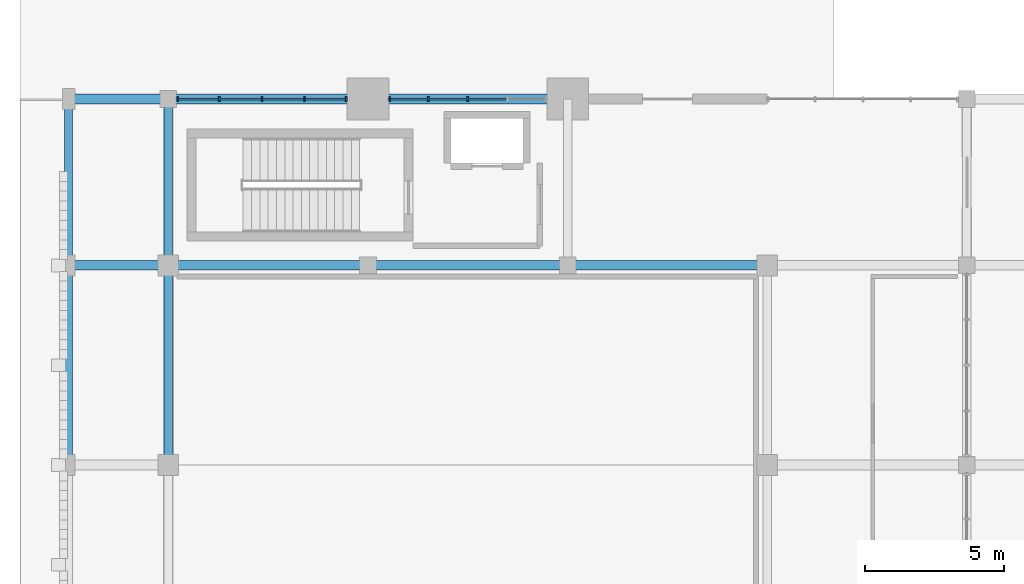
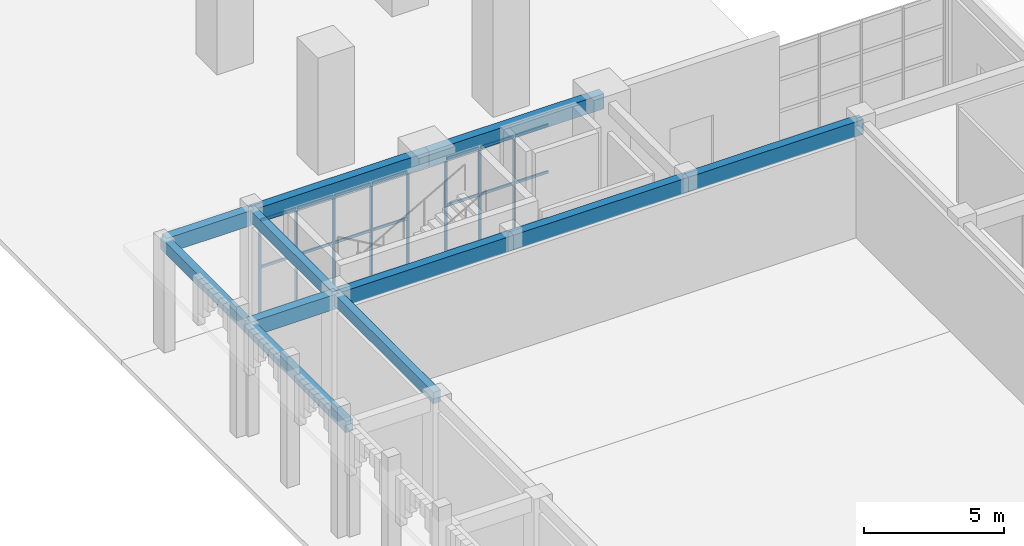
# One storey, part 5 of 72: 29 members, 11 beams, 2 elements without a shape of their own.
"""IFC4 building model written with IfcOpenShell, lengths in metres."""

from ifc_helpers import new_model, si_unit, direction, frame, origin, origin_2d, place, context, subcontext, project, spatial, rectangle, extrude, material, material_profile, profile_set, type_object, element, aggregate, save


model = new_model("IFC4")

# Units and contexts
model_context = context("Model", 3, precision=1e-05, world=origin(), true_north=direction((0.0, 1.0)))
body_context = subcontext(model_context, "Body", "Model", "MODEL_VIEW")
ifc_project = project(units=[si_unit("LENGTHUNIT", "METRE"), si_unit("AREAUNIT", "SQUARE_METRE"), si_unit("VOLUMEUNIT", "CUBIC_METRE"), si_unit("PLANEANGLEUNIT", "RADIAN"), si_unit("MASSUNIT", "GRAM", prefix="KILO")], contexts=[model_context])

# Site, building, storey
site_placement = place(None, origin())
site = spatial("IfcSite", under=ifc_project, at=site_placement, CompositionType="ELEMENT")
building_placement = place(site_placement, origin())
building = spatial("IfcBuilding", under=site, at=building_placement, Name="Nzembalo Square Collegiate School", CompositionType="ELEMENT")
storey_placement = place(building_placement, origin())
storey = spatial("IfcBuildingStorey", under=building, at=storey_placement, Name="L00", CompositionType="ELEMENT", Elevation=0.0)

# Beams
ifc_material_1 = material(Name="Concrete C35/45", Category="concrete")
ifc_material_profile_1 = material_profile(ifc_material_1, rectangle(XDim=0.35009765625, YDim=0.64990234375, at=origin_2d()), Name="RC 350x650")
ifc_profile_set_1 = profile_set([ifc_material_profile_1], Name="Concrete C35/45")
beam_type_1 = type_object("IfcBeamType", Name="B01", PredefinedType="BEAM", material=ifc_profile_set_1)
beam_1_placement = place(storey_placement, frame((4.800048828125, 44.39990234375, 4.465087890625), z_axis=(1.0, 0.0, 0.0), x_axis=(0.0, 1.0, 0.0)))
element("IfcBeam", 1, at=beam_1_placement, inside=storey, type_object=beam_type_1, Name="Beam B01 L00", PredefinedType="BEAM", context=body_context, shape_type="SweptSolid", body=[
    extrude(rectangle(XDim=0.35009765625, YDim=0.64990234375, at=origin_2d()), origin(), (0.0, 0.0, 1.0), 3.599853515625),
])
beam_2_placement = place(storey_placement, frame((8.39990234375, 44.39990234375, 4.465087890625), z_axis=(1.0, 0.0, 0.0), x_axis=(0.0, 1.0, 0.0)))
element("IfcBeam", 2, at=beam_2_placement, inside=storey, type_object=beam_type_1, Name="Beam B01 L00", PredefinedType="BEAM", context=body_context, shape_type="SweptSolid", body=[
    extrude(rectangle(XDim=0.35009765625, YDim=0.64990234375, at=origin_2d()), origin(), (0.0, 0.0, 1.0), 7.2001953125),
])
for number, where, z_axis, x_axis, name in (
    (3, (15.60009765625, 44.39990234375, 4.465087890625), (1.0, 0.0, 0.0), (0.0, 1.0, 0.0), "Beam B01 L00"),
    (4, (22.800048828125, 44.39990234375, 4.465087890625), (1.0, 0.0, 0.0), (0.0, 1.0, 0.0), "Beam B01 L00"),
):
    element("IfcBeam", number, at=place(storey_placement, frame(where, z_axis=z_axis, x_axis=x_axis)), inside=storey, type_object=beam_type_1, Name=name, PredefinedType="BEAM", context=body_context, shape_type="SweptSolid", body=[
        extrude(rectangle(XDim=0.35009765625, YDim=0.64990234375, at=origin_2d()), origin(), (0.0, 0.0, 1.0), 7.199951171875),
    ])
beam_3_placement = place(storey_placement, frame((4.800048828125, 50.39990234375, 4.465087890625), z_axis=(1.0, 0.0, 0.0), x_axis=(0.0, 1.0, 0.0)))
element("IfcBeam", 5, at=beam_3_placement, inside=storey, type_object=beam_type_1, Name="Beam B01 L00", PredefinedType="BEAM", context=body_context, shape_type="SweptSolid", body=[
    extrude(rectangle(XDim=0.35009765625, YDim=0.64990234375, at=origin_2d()), origin(), (0.0, 0.0, 1.0), 3.599853515625),
])
beam_4_placement = place(storey_placement, frame((8.39990234375, 50.39990234375, 4.465087890625), z_axis=(1.0, 0.0, 0.0), x_axis=(0.0, 1.0, 0.0)))
element("IfcBeam", 6, at=beam_4_placement, inside=storey, type_object=beam_type_1, Name="Beam B01 L00", PredefinedType="BEAM", context=body_context, shape_type="SweptSolid", body=[
    extrude(rectangle(XDim=0.35009765625, YDim=0.64990234375, at=origin_2d()), origin(), (0.0, 0.0, 1.0), 7.2001953125),
])
beam_5_placement = place(storey_placement, frame((15.60009765625, 50.39990234375, 4.465087890625), z_axis=(1.0, 0.0, 0.0), x_axis=(0.0, 1.0, 0.0)))
element("IfcBeam", 7, at=beam_5_placement, inside=storey, type_object=beam_type_1, Name="Beam B01 L00", PredefinedType="BEAM", context=body_context, shape_type="SweptSolid", body=[
    extrude(rectangle(XDim=0.35009765625, YDim=0.64990234375, at=origin_2d()), origin(), (0.0, 0.0, 1.0), 7.199951171875),
])
ifc_material_2 = material(Name="Concrete C35/45", Category="concrete")
ifc_material_profile_2 = material_profile(ifc_material_2, rectangle(XDim=0.300048828125, YDim=0.5, at=origin_2d()), Name="RC 300x500")
ifc_profile_set_2 = profile_set([ifc_material_profile_2], Name="Concrete C35/45")
beam_type_2 = type_object("IfcBeamType", Name="SP01", PredefinedType="SPANDREL", material=ifc_profile_set_2)
beam_6_placement = place(storey_placement, frame((4.800048828125, 37.199951171875, 4.5400390625), z_axis=(0.0, 1.0, 0.0), x_axis=(-1.0, 0.0, 0.0)))
element("IfcBeam", 8, at=beam_6_placement, inside=storey, type_object=beam_type_2, Name="Beam SP01 L00", PredefinedType="SPANDREL", context=body_context, shape_type="SweptSolid", body=[
    extrude(rectangle(XDim=0.300048828125, YDim=0.5, at=origin_2d()), origin(), (0.0, 0.0, 1.0), 7.199951171875),
])
beam_7_placement = place(storey_placement, frame((4.800048828125, 44.39990234375, 4.5400390625), z_axis=(0.0, 1.0, 0.0), x_axis=(-1.0, 0.0, 0.0)))
element("IfcBeam", 9, at=beam_7_placement, inside=storey, type_object=beam_type_2, Name="Beam SP01 L00", PredefinedType="SPANDREL", context=body_context, shape_type="SweptSolid", body=[
    extrude(rectangle(XDim=0.300048828125, YDim=0.5, at=origin_2d()), origin(), (0.0, 0.0, 1.0), 6.0),
])
beam_8_placement = place(storey_placement, frame((8.39990234375, 37.199951171875, 4.5400390625), z_axis=(0.0, 1.0, 0.0), x_axis=(-1.0, 0.0, 0.0)))
element("IfcBeam", 10, at=beam_8_placement, inside=storey, type_object=beam_type_2, Name="Beam SP01 L00", PredefinedType="SPANDREL", context=body_context, shape_type="SweptSolid", body=[
    extrude(rectangle(XDim=0.300048828125, YDim=0.5, at=origin_2d()), origin(), (0.0, 0.0, 1.0), 7.199951171875),
])
beam_9_placement = place(storey_placement, frame((8.39990234375, 44.39990234375, 4.5400390625), z_axis=(0.0, 1.0, 0.0), x_axis=(-1.0, 0.0, 0.0)))
element("IfcBeam", 11, at=beam_9_placement, inside=storey, type_object=beam_type_2, Name="Beam SP01 L00", PredefinedType="SPANDREL", context=body_context, shape_type="SweptSolid", body=[
    extrude(rectangle(XDim=0.300048828125, YDim=0.5, at=origin_2d()), origin(), (0.0, 0.0, 1.0), 6.0),
])

# Curtain wall, members
ifc_material_3 = material(Name="Aluminium 6060-T66", Category="aluminium")
curtain_wall_type_1 = type_object("IfcCurtainWallType", Name="CW-07", PredefinedType="USERDEFINED", material=ifc_material_3)
curtain_wall_1_placement = place(storey_placement, origin())
curtain_wall_1 = element("IfcCurtainWall", 12, at=curtain_wall_1_placement, inside=storey, type_object=curtain_wall_type_1, Name="Curtain wall CW-07 cw:L00:006", ObjectType="LANCET", PredefinedType="USERDEFINED")
ifc_material_4 = material(Name="Aluminium 6060-T66", Category="aluminium")
ifc_material_profile_3 = material_profile(ifc_material_4, rectangle(XDim=0.06005859375, YDim=0.14990234375, at=origin_2d()), Name="ALU M60x150")
ifc_profile_set_3 = profile_set([ifc_material_profile_3], Name="Aluminium 6060-T66")
member_type_1 = type_object("IfcMemberType", Name="ML02", PredefinedType="MULLION", material=ifc_profile_set_3)
member_1_placement = place(storey_placement, frame((8.73193359375, 50.39990234375, 0.0), z_axis=(0.0, 0.0, 1.0), x_axis=(1.0, 0.0, 0.0)))
member_1 = element("IfcMember", 13, at=member_1_placement, type_object=member_type_1, Name="ML02 mullion 1", PredefinedType="MULLION", context=body_context, shape_type="SweptSolid", body=[
    extrude(rectangle(XDim=0.06005859375, YDim=0.14990234375, at=origin_2d()), origin(), (0.0, 0.0, 1.0), 4.134033203125),
])
member_2_placement = place(storey_placement, frame((10.238525390625, 50.39990234375, 0.0), z_axis=(0.0, 0.0, 1.0), x_axis=(1.0, 0.0, 0.0)))
member_2 = element("IfcMember", 14, at=member_2_placement, type_object=member_type_1, Name="ML02 mullion 2", PredefinedType="MULLION", context=body_context, shape_type="SweptSolid", body=[
    extrude(rectangle(XDim=0.06005859375, YDim=0.14990234375, at=origin_2d()), origin(), (0.0, 0.0, 1.0), 4.134033203125),
])
member_3_placement = place(storey_placement, frame((11.77490234375, 50.39990234375, 0.0), z_axis=(0.0, 0.0, 1.0), x_axis=(1.0, 0.0, 0.0)))
member_3 = element("IfcMember", 15, at=member_3_placement, type_object=member_type_1, Name="ML02 mullion 3", PredefinedType="MULLION", context=body_context, shape_type="SweptSolid", body=[
    extrude(rectangle(XDim=0.06005859375, YDim=0.14990234375, at=origin_2d()), origin(), (0.0, 0.0, 1.0), 4.134033203125),
])
member_4_placement = place(storey_placement, frame((13.3115234375, 50.39990234375, 0.0), z_axis=(0.0, 0.0, 1.0), x_axis=(1.0, 0.0, 0.0)))
member_4 = element("IfcMember", 16, at=member_4_placement, type_object=member_type_1, Name="ML02 mullion 4", PredefinedType="MULLION", context=body_context, shape_type="SweptSolid", body=[
    extrude(rectangle(XDim=0.06005859375, YDim=0.14990234375, at=origin_2d()), origin(), (0.0, 0.0, 1.0), 4.134033203125),
])
member_5_placement = place(storey_placement, frame((14.818115234375, 50.39990234375, 0.0), z_axis=(0.0, 0.0, 1.0), x_axis=(1.0, 0.0, 0.0)))
member_5 = element("IfcMember", 17, at=member_5_placement, type_object=member_type_1, Name="ML02 mullion 5", PredefinedType="MULLION", context=body_context, shape_type="SweptSolid", body=[
    extrude(rectangle(XDim=0.06005859375, YDim=0.14990234375, at=origin_2d()), origin(), (0.0, 0.0, 1.0), 4.134033203125),
])

ifc_material_5 = material(Name="Aluminium 6060-T66", Category="aluminium")
curtain_wall_type_2 = type_object("IfcCurtainWallType", Name="CW-08", PredefinedType="USERDEFINED", material=ifc_material_5)
curtain_wall_2_placement = place(storey_placement, origin())
curtain_wall_2 = element("IfcCurtainWall", 18, at=curtain_wall_2_placement, inside=storey, type_object=curtain_wall_type_2, Name="Curtain wall CW-08 cw:L00:007", ObjectType="LANCET", PredefinedType="USERDEFINED")
member_6_placement = place(storey_placement, frame((16.382080078125, 50.39990234375, 0.0), z_axis=(0.0, 0.0, 1.0), x_axis=(1.0, 0.0, 0.0)))
member_6 = element("IfcMember", 19, at=member_6_placement, type_object=member_type_1, Name="ML02 mullion 1", PredefinedType="MULLION", context=body_context, shape_type="SweptSolid", body=[
    extrude(rectangle(XDim=0.06005859375, YDim=0.14990234375, at=origin_2d()), origin(), (0.0, 0.0, 1.0), 4.134033203125),
])
member_7_placement = place(storey_placement, frame((17.77587890625, 50.39990234375, 0.0), z_axis=(0.0, 0.0, 1.0), x_axis=(1.0, 0.0, 0.0)))
member_7 = element("IfcMember", 20, at=member_7_placement, type_object=member_type_1, Name="ML02 mullion 2", PredefinedType="MULLION", context=body_context, shape_type="SweptSolid", body=[
    extrude(rectangle(XDim=0.06005859375, YDim=0.14990234375, at=origin_2d()), origin(), (0.0, 0.0, 1.0), 4.134033203125),
])
member_8_placement = place(storey_placement, frame((19.199951171875, 50.39990234375, 0.0), z_axis=(0.0, 0.0, 1.0), x_axis=(1.0, 0.0, 0.0)))
member_8 = element("IfcMember", 21, at=member_8_placement, type_object=member_type_1, Name="ML02 mullion 3", PredefinedType="MULLION", context=body_context, shape_type="SweptSolid", body=[
    extrude(rectangle(XDim=0.06005859375, YDim=0.14990234375, at=origin_2d()), origin(), (0.0, 0.0, 1.0), 4.134033203125),
])

# Member
ifc_material_6 = material(Name="Aluminium 6060-T66", Category="aluminium")
ifc_material_profile_4 = material_profile(ifc_material_6, rectangle(XDim=0.06005859375, YDim=0.110107421875, at=origin_2d()), Name="ALU T60x110")
ifc_profile_set_4 = profile_set([ifc_material_profile_4], Name="Aluminium 6060-T66")
member_type_2 = type_object("IfcMemberType", Name="TR02", PredefinedType="USERDEFINED", material=ifc_profile_set_4)
member_9_placement = place(storey_placement, frame((8.761962890625, 50.39990234375, 0.030029296875), z_axis=(1.0, 0.0, 0.0), x_axis=(0.0, 1.0, 0.0)))
member_9 = element("IfcMember", 22, at=member_9_placement, type_object=member_type_2, Name="TR02 transom 1-1", ObjectType="TRANSOM", PredefinedType="USERDEFINED", context=body_context, shape_type="SweptSolid", body=[
    extrude(rectangle(XDim=0.06005859375, YDim=0.110107421875, at=origin_2d()), origin(), (0.0, 0.0, 1.0), 1.446533203125),
])

member_10_placement = place(storey_placement, frame((10.2685546875, 50.39990234375, 0.030029296875), z_axis=(1.0, 0.0, 0.0), x_axis=(0.0, 1.0, 0.0)))
member_10 = element("IfcMember", 23, at=member_10_placement, type_object=member_type_2, Name="TR02 transom 1-2", ObjectType="TRANSOM", PredefinedType="USERDEFINED", context=body_context, shape_type="SweptSolid", body=[
    extrude(rectangle(XDim=0.06005859375, YDim=0.110107421875, at=origin_2d()), origin(), (0.0, 0.0, 1.0), 1.4765625),
])

member_11_placement = place(storey_placement, frame((11.804931640625, 50.39990234375, 0.030029296875), z_axis=(1.0, 0.0, 0.0), x_axis=(0.0, 1.0, 0.0)))
member_11 = element("IfcMember", 24, at=member_11_placement, type_object=member_type_2, Name="TR02 transom 1-3", ObjectType="TRANSOM", PredefinedType="USERDEFINED", context=body_context, shape_type="SweptSolid", body=[
    extrude(rectangle(XDim=0.06005859375, YDim=0.110107421875, at=origin_2d()), origin(), (0.0, 0.0, 1.0), 1.4765625),
])

member_12_placement = place(storey_placement, frame((13.341552734375, 50.39990234375, 0.030029296875), z_axis=(1.0, 0.0, 0.0), x_axis=(0.0, 1.0, 0.0)))
member_12 = element("IfcMember", 25, at=member_12_placement, type_object=member_type_2, Name="TR02 transom 1-4", ObjectType="TRANSOM", PredefinedType="USERDEFINED", context=body_context, shape_type="SweptSolid", body=[
    extrude(rectangle(XDim=0.06005859375, YDim=0.110107421875, at=origin_2d()), origin(), (0.0, 0.0, 1.0), 1.446533203125),
])

member_13_placement = place(storey_placement, frame((8.761962890625, 50.39990234375, 2.06689453125), z_axis=(1.0, 0.0, 0.0), x_axis=(0.0, 1.0, 0.0)))
member_13 = element("IfcMember", 26, at=member_13_placement, type_object=member_type_2, Name="TR02 transom 2-1", ObjectType="TRANSOM", PredefinedType="USERDEFINED", context=body_context, shape_type="SweptSolid", body=[
    extrude(rectangle(XDim=0.06005859375, YDim=0.110107421875, at=origin_2d()), origin(), (0.0, 0.0, 1.0), 1.446533203125),
])

member_14_placement = place(storey_placement, frame((10.2685546875, 50.39990234375, 2.06689453125), z_axis=(1.0, 0.0, 0.0), x_axis=(0.0, 1.0, 0.0)))
member_14 = element("IfcMember", 27, at=member_14_placement, type_object=member_type_2, Name="TR02 transom 2-2", ObjectType="TRANSOM", PredefinedType="USERDEFINED", context=body_context, shape_type="SweptSolid", body=[
    extrude(rectangle(XDim=0.06005859375, YDim=0.110107421875, at=origin_2d()), origin(), (0.0, 0.0, 1.0), 1.4765625),
])

member_15_placement = place(storey_placement, frame((11.804931640625, 50.39990234375, 2.06689453125), z_axis=(1.0, 0.0, 0.0), x_axis=(0.0, 1.0, 0.0)))
member_15 = element("IfcMember", 28, at=member_15_placement, type_object=member_type_2, Name="TR02 transom 2-3", ObjectType="TRANSOM", PredefinedType="USERDEFINED", context=body_context, shape_type="SweptSolid", body=[
    extrude(rectangle(XDim=0.06005859375, YDim=0.110107421875, at=origin_2d()), origin(), (0.0, 0.0, 1.0), 1.4765625),
])

member_16_placement = place(storey_placement, frame((13.341552734375, 50.39990234375, 2.06689453125), z_axis=(1.0, 0.0, 0.0), x_axis=(0.0, 1.0, 0.0)))
member_16 = element("IfcMember", 29, at=member_16_placement, type_object=member_type_2, Name="TR02 transom 2-4", ObjectType="TRANSOM", PredefinedType="USERDEFINED", context=body_context, shape_type="SweptSolid", body=[
    extrude(rectangle(XDim=0.06005859375, YDim=0.110107421875, at=origin_2d()), origin(), (0.0, 0.0, 1.0), 1.446533203125),
])

member_17_placement = place(storey_placement, frame((8.761962890625, 50.39990234375, 4.10400390625), z_axis=(1.0, 0.0, 0.0), x_axis=(0.0, 1.0, 0.0)))
member_17 = element("IfcMember", 30, at=member_17_placement, type_object=member_type_2, Name="TR02 transom 3-1", ObjectType="TRANSOM", PredefinedType="USERDEFINED", context=body_context, shape_type="SweptSolid", body=[
    extrude(rectangle(XDim=0.06005859375, YDim=0.110107421875, at=origin_2d()), origin(), (0.0, 0.0, 1.0), 1.446533203125),
])

member_18_placement = place(storey_placement, frame((10.2685546875, 50.39990234375, 4.10400390625), z_axis=(1.0, 0.0, 0.0), x_axis=(0.0, 1.0, 0.0)))
member_18 = element("IfcMember", 31, at=member_18_placement, type_object=member_type_2, Name="TR02 transom 3-2", ObjectType="TRANSOM", PredefinedType="USERDEFINED", context=body_context, shape_type="SweptSolid", body=[
    extrude(rectangle(XDim=0.06005859375, YDim=0.110107421875, at=origin_2d()), origin(), (0.0, 0.0, 1.0), 1.4765625),
])

member_19_placement = place(storey_placement, frame((11.804931640625, 50.39990234375, 4.10400390625), z_axis=(1.0, 0.0, 0.0), x_axis=(0.0, 1.0, 0.0)))
member_19 = element("IfcMember", 32, at=member_19_placement, type_object=member_type_2, Name="TR02 transom 3-3", ObjectType="TRANSOM", PredefinedType="USERDEFINED", context=body_context, shape_type="SweptSolid", body=[
    extrude(rectangle(XDim=0.06005859375, YDim=0.110107421875, at=origin_2d()), origin(), (0.0, 0.0, 1.0), 1.4765625),
])

member_20_placement = place(storey_placement, frame((13.341552734375, 50.39990234375, 4.10400390625), z_axis=(1.0, 0.0, 0.0), x_axis=(0.0, 1.0, 0.0)))
member_20 = element("IfcMember", 33, at=member_20_placement, type_object=member_type_2, Name="TR02 transom 3-4", ObjectType="TRANSOM", PredefinedType="USERDEFINED", context=body_context, shape_type="SweptSolid", body=[
    extrude(rectangle(XDim=0.06005859375, YDim=0.110107421875, at=origin_2d()), origin(), (0.0, 0.0, 1.0), 1.446533203125),
])

aggregate(curtain_wall_1, [member_1, member_2, member_3, member_4, member_5, member_9, member_10, member_11, member_12, member_13, member_14, member_15, member_16, member_17, member_18, member_19, member_20])

member_21_placement = place(storey_placement, frame((16.412109375, 50.39990234375, 0.030029296875), z_axis=(1.0, 0.0, 0.0), x_axis=(0.0, 1.0, 0.0)))
member_21 = element("IfcMember", 34, at=member_21_placement, type_object=member_type_2, Name="TR02 transom 1-1", ObjectType="TRANSOM", PredefinedType="USERDEFINED", context=body_context, shape_type="SweptSolid", body=[
    extrude(rectangle(XDim=0.06005859375, YDim=0.110107421875, at=origin_2d()), origin(), (0.0, 0.0, 1.0), 1.333984375),
])

member_22_placement = place(storey_placement, frame((17.805908203125, 50.39990234375, 0.030029296875), z_axis=(1.0, 0.0, 0.0), x_axis=(0.0, 1.0, 0.0)))
member_22 = element("IfcMember", 35, at=member_22_placement, type_object=member_type_2, Name="TR02 transom 1-2", ObjectType="TRANSOM", PredefinedType="USERDEFINED", context=body_context, shape_type="SweptSolid", body=[
    extrude(rectangle(XDim=0.06005859375, YDim=0.110107421875, at=origin_2d()), origin(), (0.0, 0.0, 1.0), 1.364013671875),
])

member_23_placement = place(storey_placement, frame((19.22998046875, 50.39990234375, 0.030029296875), z_axis=(1.0, 0.0, 0.0), x_axis=(0.0, 1.0, 0.0)))
member_23 = element("IfcMember", 36, at=member_23_placement, type_object=member_type_2, Name="TR02 transom 1-3", ObjectType="TRANSOM", PredefinedType="USERDEFINED", context=body_context, shape_type="SweptSolid", body=[
    extrude(rectangle(XDim=0.06005859375, YDim=0.110107421875, at=origin_2d()), origin(), (0.0, 0.0, 1.0), 1.364013671875),
])

member_24_placement = place(storey_placement, frame((16.412109375, 50.39990234375, 2.06689453125), z_axis=(1.0, 0.0, 0.0), x_axis=(0.0, 1.0, 0.0)))
member_24 = element("IfcMember", 37, at=member_24_placement, type_object=member_type_2, Name="TR02 transom 2-1", ObjectType="TRANSOM", PredefinedType="USERDEFINED", context=body_context, shape_type="SweptSolid", body=[
    extrude(rectangle(XDim=0.06005859375, YDim=0.110107421875, at=origin_2d()), origin(), (0.0, 0.0, 1.0), 1.333984375),
])

member_25_placement = place(storey_placement, frame((17.805908203125, 50.39990234375, 2.06689453125), z_axis=(1.0, 0.0, 0.0), x_axis=(0.0, 1.0, 0.0)))
member_25 = element("IfcMember", 38, at=member_25_placement, type_object=member_type_2, Name="TR02 transom 2-2", ObjectType="TRANSOM", PredefinedType="USERDEFINED", context=body_context, shape_type="SweptSolid", body=[
    extrude(rectangle(XDim=0.06005859375, YDim=0.110107421875, at=origin_2d()), origin(), (0.0, 0.0, 1.0), 1.364013671875),
])

member_26_placement = place(storey_placement, frame((19.22998046875, 50.39990234375, 2.06689453125), z_axis=(1.0, 0.0, 0.0), x_axis=(0.0, 1.0, 0.0)))
member_26 = element("IfcMember", 39, at=member_26_placement, type_object=member_type_2, Name="TR02 transom 2-3", ObjectType="TRANSOM", PredefinedType="USERDEFINED", context=body_context, shape_type="SweptSolid", body=[
    extrude(rectangle(XDim=0.06005859375, YDim=0.110107421875, at=origin_2d()), origin(), (0.0, 0.0, 1.0), 1.364013671875),
])

member_27_placement = place(storey_placement, frame((16.412109375, 50.39990234375, 4.10400390625), z_axis=(1.0, 0.0, 0.0), x_axis=(0.0, 1.0, 0.0)))
member_27 = element("IfcMember", 40, at=member_27_placement, type_object=member_type_2, Name="TR02 transom 3-1", ObjectType="TRANSOM", PredefinedType="USERDEFINED", context=body_context, shape_type="SweptSolid", body=[
    extrude(rectangle(XDim=0.06005859375, YDim=0.110107421875, at=origin_2d()), origin(), (0.0, 0.0, 1.0), 1.333984375),
])

member_28_placement = place(storey_placement, frame((17.805908203125, 50.39990234375, 4.10400390625), z_axis=(1.0, 0.0, 0.0), x_axis=(0.0, 1.0, 0.0)))
member_28 = element("IfcMember", 41, at=member_28_placement, type_object=member_type_2, Name="TR02 transom 3-2", ObjectType="TRANSOM", PredefinedType="USERDEFINED", context=body_context, shape_type="SweptSolid", body=[
    extrude(rectangle(XDim=0.06005859375, YDim=0.110107421875, at=origin_2d()), origin(), (0.0, 0.0, 1.0), 1.364013671875),
])

member_29_placement = place(storey_placement, frame((19.22998046875, 50.39990234375, 4.10400390625), z_axis=(1.0, 0.0, 0.0), x_axis=(0.0, 1.0, 0.0)))
member_29 = element("IfcMember", 42, at=member_29_placement, type_object=member_type_2, Name="TR02 transom 3-3", ObjectType="TRANSOM", PredefinedType="USERDEFINED", context=body_context, shape_type="SweptSolid", body=[
    extrude(rectangle(XDim=0.06005859375, YDim=0.110107421875, at=origin_2d()), origin(), (0.0, 0.0, 1.0), 1.364013671875),
])

aggregate(curtain_wall_2, [member_6, member_7, member_8, member_21, member_22, member_23, member_24, member_25, member_26, member_27, member_28, member_29])

save(model, "model.ifc")
